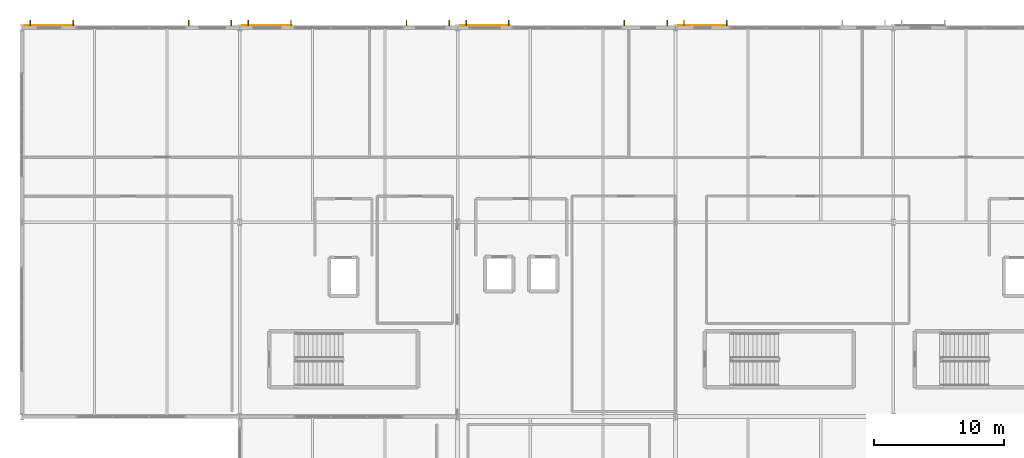
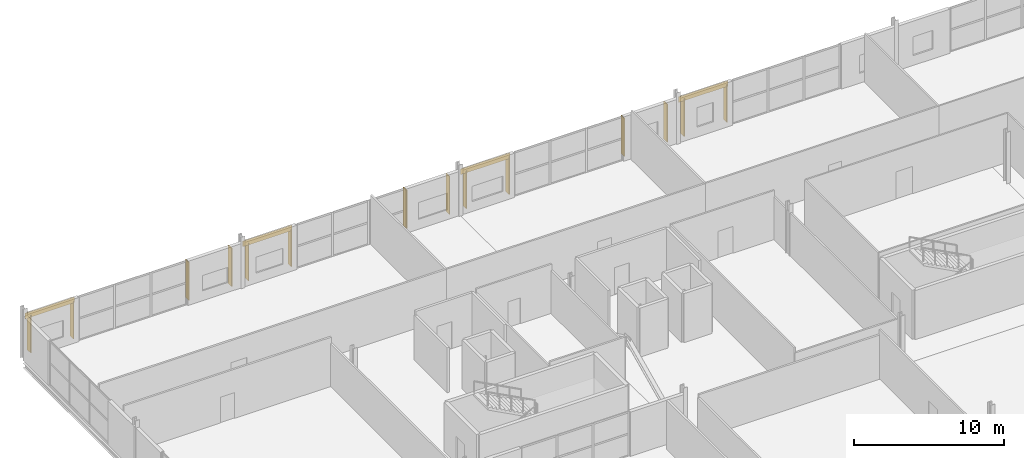
# One storey, part 37 of 39: 14 shading devices, 4 coverings.
"""IFC4 building model written with IfcOpenShell, lengths in metres."""

from ifc_helpers import new_model, si_unit, direction, frame, origin, origin_2d, place, context, subcontext, project, spatial, rectangle, extrude, material, layer, layer_set, type_object, element, save


model = new_model("IFC4")

# Units and contexts
model_context = context("Model", 3, precision=1e-05, world=origin(), true_north=direction((0.0, 1.0)))
body_context = subcontext(model_context, "Body", "Model", "MODEL_VIEW")
ifc_project = project(units=[si_unit("LENGTHUNIT", "METRE"), si_unit("AREAUNIT", "SQUARE_METRE"), si_unit("VOLUMEUNIT", "CUBIC_METRE"), si_unit("PLANEANGLEUNIT", "RADIAN"), si_unit("MASSUNIT", "GRAM", prefix="KILO")], contexts=[model_context])

# Site, building, storey
site_placement = place(None, origin())
site = spatial("IfcSite", under=ifc_project, at=site_placement, CompositionType="ELEMENT")
building_placement = place(site_placement, origin())
building = spatial("IfcBuilding", under=site, at=building_placement, Name="Kimbaza Rail Terminus", CompositionType="ELEMENT")
storey_placement = place(building_placement, frame((0.0, 0.0, 16.800048828125)))
storey = spatial("IfcBuildingStorey", under=building, at=storey_placement, Name="L03", CompositionType="ELEMENT", Elevation=16.800048828125)

# Coverings
ifc_material_1 = material(Name="Champagne anodised aluminium spandrel cladding", Category="aluminium")
ifc_layer = layer(ifc_material_1, 0.034912109375)
ifc_layer_set = layer_set([ifc_layer], Name="Champagne anodised aluminium spandrel cladding")
covering_type = type_object("IfcCoveringType", Name="ARC-COV-CLD1", PredefinedType="CLADDING", material=ifc_layer_set)
for number, where, z_axis, x_axis, name in (
    (1, (57.300048828125, 133.156005859375, 3.080078125), (0.0, 0.0, 1.0), (1.0, 0.0, 0.0), "North Spandrel Cladding L03 Bay 1"),
    (2, (74.10009765625, 133.156005859375, 3.080078125), (0.0, 0.0, 1.0), (1.0, 0.0, 0.0), "North Spandrel Cladding L03 Bay 2"),
    (3, (90.89990234375, 133.156005859375, 3.080078125), (0.0, 0.0, 1.0), (1.0, 0.0, 0.0), "North Spandrel Cladding L03 Bay 3"),
    (4, (107.699951171875, 133.156005859375, 3.080078125), (0.0, 0.0, 1.0), (1.0, 0.0, 0.0), "North Spandrel Cladding L03 Bay 4"),
):
    element("IfcCovering", number, at=place(storey_placement, frame(where, z_axis=z_axis, x_axis=x_axis)), inside=storey, type_object=covering_type, Name=name, PredefinedType="CLADDING", context=body_context, shape_type="SweptSolid", body=[
        extrude(rectangle(XDim=3.800048828125, YDim=0.034912109375, at=origin_2d()), origin(), (0.0, 0.0, 1.0), 0.449951171875),
    ])

# Shading devices
ifc_material_2 = material(Name="Champagne anodised extruded aluminium", Category="aluminium")
shading_device_type = type_object("IfcShadingDeviceType", Name="ARC-SHD-FIN450", PredefinedType="USERDEFINED", material=ifc_material_2)
for number, where, z_axis, x_axis, name in (
    (5, (55.85009765625, 133.363037109375, 0.14990234375), (0.0, 0.0, 1.0), (1.0, 0.0, 0.0), "North Solar Fin L03 Bay 1.1"),
    (6, (59.14990234375, 133.363037109375, 0.14990234375), (0.0, 0.0, 1.0), (1.0, 0.0, 0.0), "North Solar Fin L03 Bay 1.2"),
    (7, (68.050048828125, 133.363037109375, 0.14990234375), (0.0, 0.0, 1.0), (1.0, 0.0, 0.0), "North Solar Fin L03 Bay 1.3"),
    (8, (71.35009765625, 133.363037109375, 0.14990234375), (0.0, 0.0, 1.0), (1.0, 0.0, 0.0), "North Solar Fin L03 Bay 1.4"),
    (9, (72.64990234375, 133.363037109375, 0.14990234375), (0.0, 0.0, 1.0), (1.0, 0.0, 0.0), "North Solar Fin L03 Bay 2.1"),
    (10, (75.949951171875, 133.363037109375, 0.14990234375), (0.0, 0.0, 1.0), (1.0, 0.0, 0.0), "North Solar Fin L03 Bay 2.2"),
    (11, (84.85009765625, 133.363037109375, 0.14990234375), (0.0, 0.0, 1.0), (1.0, 0.0, 0.0), "North Solar Fin L03 Bay 2.3"),
    (12, (88.14990234375, 133.363037109375, 0.14990234375), (0.0, 0.0, 1.0), (1.0, 0.0, 0.0), "North Solar Fin L03 Bay 2.4"),
    (13, (89.449951171875, 133.363037109375, 0.14990234375), (0.0, 0.0, 1.0), (1.0, 0.0, 0.0), "North Solar Fin L03 Bay 3.1"),
    (14, (92.75, 133.363037109375, 0.14990234375), (0.0, 0.0, 1.0), (1.0, 0.0, 0.0), "North Solar Fin L03 Bay 3.2"),
    (15, (101.64990234375, 133.363037109375, 0.14990234375), (0.0, 0.0, 1.0), (1.0, 0.0, 0.0), "North Solar Fin L03 Bay 3.3"),
    (16, (104.949951171875, 133.363037109375, 0.14990234375), (0.0, 0.0, 1.0), (1.0, 0.0, 0.0), "North Solar Fin L03 Bay 3.4"),
    (17, (106.25, 133.363037109375, 0.14990234375), (0.0, 0.0, 1.0), (1.0, 0.0, 0.0), "North Solar Fin L03 Bay 4.1"),
    (18, (109.550048828125, 133.363037109375, 0.14990234375), (0.0, 0.0, 1.0), (1.0, 0.0, 0.0), "North Solar Fin L03 Bay 4.2"),
):
    element("IfcShadingDevice", number, at=place(storey_placement, frame(where, z_axis=z_axis, x_axis=x_axis)), inside=storey, type_object=shading_device_type, Name=name, ObjectType="BRISE SOLEIL FIN", PredefinedType="USERDEFINED", context=body_context, shape_type="SweptSolid", body=[
        extrude(rectangle(XDim=0.06494140625, YDim=0.449951171875, at=origin_2d()), origin(), (0.0, 0.0, 1.0), 3.10009765625),
    ])

save(model, "model.ifc")
